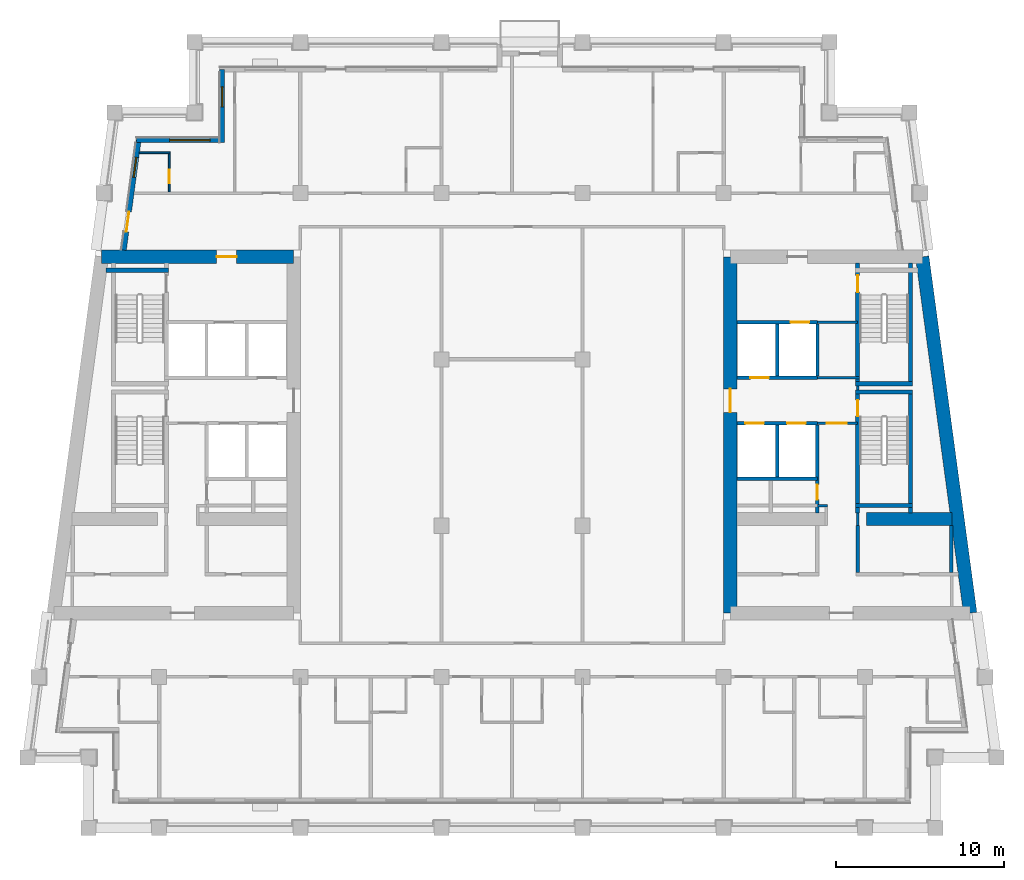
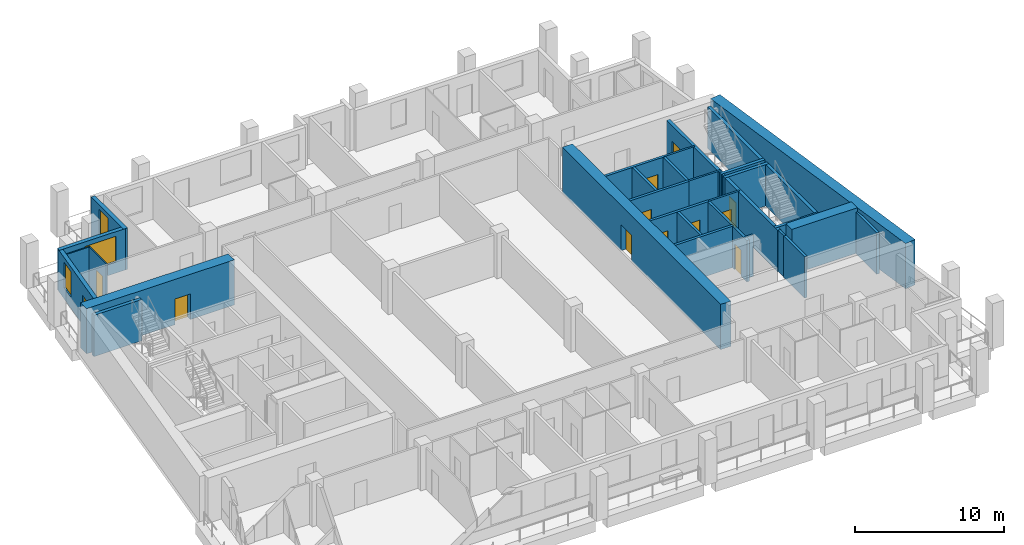
# One storey, part 5 of 12: 33 walls, 12 doors, 3 windows, 15 openings.
"""IFC4 building model written with IfcOpenShell, lengths in metres."""

from ifc_helpers import new_model, si_unit, direction, frame, frame_2d, origin, place, context, subcontext, project, spatial, rectangle, extrude, material, layer, layer_set, type_object, element, fill, save


model = new_model("IFC4")

# Units and contexts
model_context = context("Model", 3, precision=1e-05, world=origin(), true_north=direction((0.0, 1.0)))
body_context = subcontext(model_context, "Body", "Model", "MODEL_VIEW")
ifc_project = project(units=[si_unit("LENGTHUNIT", "METRE"), si_unit("AREAUNIT", "SQUARE_METRE"), si_unit("VOLUMEUNIT", "CUBIC_METRE"), si_unit("PLANEANGLEUNIT", "RADIAN"), si_unit("MASSUNIT", "GRAM", prefix="KILO")], contexts=[model_context])

# Site, building, storey
site_placement = place(None, origin())
site = spatial("IfcSite", under=ifc_project, at=site_placement, CompositionType="ELEMENT")
building_placement = place(site_placement, origin())
building = spatial("IfcBuilding", under=site, at=building_placement, Name="Candeia Pilgrim Tower and Theatre", CompositionType="ELEMENT")
storey_placement = place(building_placement, frame((0.0, 0.0, 235.5)))
storey = spatial("IfcBuildingStorey", under=building, at=storey_placement, Name="L57", CompositionType="ELEMENT", Elevation=235.5)

# Wall, opening, door
ifc_material_1 = material(Name="Concrete C50/60", Category="concrete")
ifc_layer_1 = layer(ifc_material_1, 0.800048828125)
ifc_layer_set_1 = layer_set([ifc_layer_1], Name="Core wall 800 C50/60")
wall_type_1 = type_object("IfcWallType", Name="Core wall 800 C50/60", PredefinedType="SHEAR", material=ifc_layer_set_1)
wall_1_placement = place(storey_placement, frame((88.98046875, 132.0, 0.0), z_axis=(0.0, 0.0, 1.0), x_axis=(1.0, 0.0, 0.0)))
wall_1 = element("IfcWall", 1, at=wall_1_placement, inside=storey, type_object=wall_type_1, Name="Core wall W1", PredefinedType="SHEAR", context=body_context, shape_type="SweptSolid", body=[
    extrude(rectangle(XDim=11.41943359375, YDim=0.800048828125, at=frame_2d((5.709716796875, 0.0))), origin(), (0.0, 0.0, 1.0), 3.699951171875),
])
opening_1_placement = place(wall_1_placement, frame((6.8330078125, 0.0, 0.0)))
opening_1 = element("IfcOpeningElement", 2, at=opening_1_placement, cuts=wall_1, Name="Opening L57-D048", PredefinedType="OPENING", context=body_context, shape_type="SweptSolid", body=[
    extrude(rectangle(XDim=1.199951171875, YDim=2.10009765625, at=frame_2d((0.60009765625, 1.050048828125))), frame((0.0, 0.41015625, 0.0), z_axis=(0.0, -1.0, 0.0), x_axis=(1.0, 0.0, 0.0)), (0.0, 0.0, 1.0), 0.820068359375),
])
ifc_material_2 = material(Name="Steel fire door set", Category="steel")
door_type_1 = type_object("IfcDoorType", Name="D-1200-FD60", OperationType="NOTDEFINED", PredefinedType="DOOR", material=ifc_material_2)
door_1_placement = place(opening_1_placement, origin())
door_1 = element("IfcDoor", 3, at=door_1_placement, inside=storey, type_object=door_type_1, Name="Door L57-D048", OperationType="SINGLE_SWING_LEFT", OverallHeight=2.10009765625, OverallWidth=1.199951171875, PredefinedType="DOOR", context=body_context, shape_type="SweptSolid", body=[
    extrude(rectangle(XDim=1.199951171875, YDim=2.10009765625, at=frame_2d((0.60009765625, 1.050048828125))), frame((0.0, 0.02490234375, 0.0), z_axis=(0.0, -1.0, 0.0), x_axis=(1.0, 0.0, 0.0)), (0.0, 0.0, 1.0), 0.050048828125),
])
fill(opening_1, door_1)

# Wall
wall_2_placement = place(storey_placement, frame((137.819580078125, 132.0, 0.0), z_axis=(0.0, 0.0, 1.0), x_axis=(0.133408347329, -0.991061154956, 0.0)))
element("IfcWall", 4, at=wall_2_placement, inside=storey, type_object=wall_type_1, Name="Core wall E2", PredefinedType="SHEAR", context=body_context, shape_type="SweptSolid", body=[
    extrude(rectangle(XDim=21.39111328125, YDim=0.800048828125, at=frame_2d((10.695556640625, 0.0))), origin(), (0.0, 0.0, 1.0), 3.699951171875),
])

# Wall, opening, door
wall_3_placement = place(storey_placement, frame((126.39990234375, 110.800048828125, 0.0), z_axis=(0.0, 0.0, 1.0), x_axis=(0.0, 1.0, 0.0)))
wall_3 = element("IfcWall", 5, at=wall_3_placement, inside=storey, type_object=wall_type_1, Name="Core wall E4", PredefinedType="SHEAR", context=body_context, shape_type="SweptSolid", body=[
    extrude(rectangle(XDim=21.199951171875, YDim=0.800048828125, at=frame_2d((10.60009765625, 0.0))), origin(), (0.0, 0.0, 1.0), 3.699951171875),
])
opening_2_placement = place(wall_3_placement, frame((11.949951171875, 0.0, 0.0)))
opening_2 = element("IfcOpeningElement", 6, at=opening_2_placement, cuts=wall_3, Name="Opening L57-D052", PredefinedType="OPENING", context=body_context, shape_type="SweptSolid", body=[
    extrude(rectangle(XDim=1.39990234375, YDim=2.10009765625, at=frame_2d((0.699951171875, 1.050048828125))), frame((0.0, 0.41015625, 0.0), z_axis=(0.0, -1.0, 0.0), x_axis=(1.0, 0.0, 0.0)), (0.0, 0.0, 1.0), 0.820068359375),
])
door_type_2 = type_object("IfcDoorType", Name="D-1400-FD60", OperationType="NOTDEFINED", PredefinedType="DOOR", material=ifc_material_2)
door_2_placement = place(opening_2_placement, origin())
door_2 = element("IfcDoor", 7, at=door_2_placement, inside=storey, type_object=door_type_2, Name="Door L57-D052", OperationType="SINGLE_SWING_LEFT", OverallHeight=2.10009765625, OverallWidth=1.39990234375, PredefinedType="DOOR", context=body_context, shape_type="SweptSolid", body=[
    extrude(rectangle(XDim=1.39990234375, YDim=2.10009765625, at=frame_2d((0.699951171875, 1.050048828125))), frame((0.0, 0.02490234375, 0.0), z_axis=(0.0, -1.0, 0.0), x_axis=(1.0, 0.0, 0.0)), (0.0, 0.0, 1.0), 0.050048828125),
])
fill(opening_2, door_2)

# Wall
wall_4_placement = place(storey_placement, frame((134.5, 116.39990234375, 0.0), z_axis=(0.0, 0.0, 1.0), x_axis=(1.0, 0.0, 0.0)))
element("IfcWall", 8, at=wall_4_placement, inside=storey, type_object=wall_type_1, Name="Core wall E6", PredefinedType="SHEAR", context=body_context, shape_type="SweptSolid", body=[
    extrude(rectangle(XDim=5.076904296875, YDim=0.800048828125, at=frame_2d((2.53857421875, 0.0))), origin(), (0.0, 0.0, 1.0), 3.699951171875),
])

# Wall, opening, window
ifc_material_3 = material(Name="Ceramic block masonry", Category="masonry")
ifc_layer_2 = layer(ifc_material_3, 0.300048828125)
ifc_layer_set_2 = layer_set([ifc_layer_2], Name="EW1 glazing-line wall 300")
wall_type_2 = type_object("IfcWallType", Name="EW1 glazing-line wall 300", PredefinedType="SOLIDWALL", material=ifc_layer_set_2)
wall_5_placement = place(storey_placement, frame((96.14990234375, 143.14990234375, 0.0), z_axis=(0.0, 0.0, 1.0), x_axis=(0.0, -1.0, 0.0)))
wall_5 = element("IfcWall", 9, at=wall_5_placement, inside=storey, type_object=wall_type_2, Name="External wall L57-7.0", PredefinedType="SOLIDWALL", context=body_context, shape_type="SweptSolid", body=[
    extrude(rectangle(XDim=4.349853515625, YDim=0.300048828125, at=frame_2d((2.1748046875, 0.0))), origin(), (0.0, 0.0, 1.0), 3.3798828125),
])
opening_3_placement = place(wall_5_placement, frame((1.02490234375, 0.0, 0.89990234375)))
opening_3 = element("IfcOpeningElement", 10, at=opening_3_placement, cuts=wall_5, Name="Opening W-B", PredefinedType="OPENING", context=body_context, shape_type="SweptSolid", body=[
    extrude(rectangle(XDim=1.199951171875, YDim=2.10009765625, at=frame_2d((0.60009765625, 1.050048828125))), frame((0.0, 0.16015625, 0.0), z_axis=(0.0, -1.0, 0.0), x_axis=(1.0, 0.0, 0.0)), (0.0, 0.0, 1.0), 0.320068359375),
])
ifc_material_4 = material(Name="Aluminium framed double glazing", Category="aluminium")
window_type_1 = type_object("IfcWindowType", Name="W-B window 1200x2100", PartitioningType="SINGLE_PANEL", PredefinedType="WINDOW", material=ifc_material_4)
window_1_placement = place(opening_3_placement, origin())
window_1 = element("IfcWindow", 11, at=window_1_placement, inside=storey, type_object=window_type_1, Name="Window W-B L57", OverallHeight=2.10009765625, OverallWidth=1.199951171875, PartitioningType="SINGLE_PANEL", PredefinedType="WINDOW", context=body_context, shape_type="SweptSolid", body=[
    extrude(rectangle(XDim=1.199951171875, YDim=2.10009765625, at=frame_2d((0.60009765625, 1.050048828125))), frame((0.0, 0.030029296875, 0.0), z_axis=(0.0, -1.0, 0.0), x_axis=(1.0, 0.0, 0.0)), (0.0, 0.0, 1.0), 0.06005859375),
])
fill(opening_3, window_1)

wall_6_placement = place(storey_placement, frame((96.14990234375, 138.949951171875, 0.0), z_axis=(0.0, 0.0, 1.0), x_axis=(-1.0, 0.0, 0.0)))
wall_6 = element("IfcWall", 12, at=wall_6_placement, inside=storey, type_object=wall_type_2, Name="External wall L57-8.0", PredefinedType="SOLIDWALL", context=body_context, shape_type="SweptSolid", body=[
    extrude(rectangle(XDim=5.103759765625, YDim=0.300048828125, at=frame_2d((2.5517578125, 0.0))), origin(), (0.0, 0.0, 1.0), 3.3798828125),
])
opening_4_placement = place(wall_6_placement, frame((0.72509765625, 0.0, 0.89990234375)))
opening_4 = element("IfcOpeningElement", 13, at=opening_4_placement, cuts=wall_6, Name="Opening W-A", PredefinedType="OPENING", context=body_context, shape_type="SweptSolid", body=[
    extrude(rectangle(XDim=2.39990234375, YDim=2.10009765625, at=frame_2d((1.199951171875, 1.050048828125))), frame((0.0, 0.16015625, 0.0), z_axis=(0.0, -1.0, 0.0), x_axis=(1.0, 0.0, 0.0)), (0.0, 0.0, 1.0), 0.320068359375),
])
window_type_2 = type_object("IfcWindowType", Name="W-A window 2400x2100", PartitioningType="DOUBLE_PANEL_VERTICAL", PredefinedType="WINDOW", material=ifc_material_4)
window_2_placement = place(opening_4_placement, origin())
window_2 = element("IfcWindow", 14, at=window_2_placement, inside=storey, type_object=window_type_2, Name="Window W-A L57", OverallHeight=2.10009765625, OverallWidth=2.39990234375, PartitioningType="SINGLE_PANEL", PredefinedType="WINDOW", context=body_context, shape_type="SweptSolid", body=[
    extrude(rectangle(XDim=2.39990234375, YDim=2.10009765625, at=frame_2d((1.199951171875, 1.050048828125))), frame((0.0, 0.030029296875, 0.0), z_axis=(0.0, -1.0, 0.0), x_axis=(1.0, 0.0, 0.0)), (0.0, 0.0, 1.0), 0.06005859375),
])
fill(opening_4, window_2)

# Wall, openings, door, window
wall_7_placement = place(storey_placement, frame((91.177490234375, 138.949951171875, 0.0), z_axis=(0.0, 0.0, 1.0), x_axis=(-0.133426664613, -0.991058689065, 0.0)))
wall_7 = element("IfcWall", 15, at=wall_7_placement, inside=storey, type_object=wall_type_2, Name="External wall L57-9.0", PredefinedType="SOLIDWALL", context=body_context, shape_type="SweptSolid", body=[
    extrude(rectangle(XDim=6.609130859375, YDim=0.300048828125, at=frame_2d((3.3046875, 0.0))), origin(), (0.0, 0.0, 1.0), 3.3798828125),
])
opening_5_placement = place(wall_7_placement, frame((1.039306640625, 0.0, 0.89990234375)))
opening_5 = element("IfcOpeningElement", 16, at=opening_5_placement, cuts=wall_7, Name="Opening W-B", PredefinedType="OPENING", context=body_context, shape_type="SweptSolid", body=[
    extrude(rectangle(XDim=1.199951171875, YDim=2.10009765625, at=frame_2d((0.60009765625, 1.050048828125))), frame((0.0, 0.16015625, 0.0), z_axis=(0.0, -1.0, 0.0), x_axis=(1.0, 0.0, 0.0)), (0.0, 0.0, 1.0), 0.320068359375),
])
opening_6_placement = place(wall_7_placement, frame((4.293701171875, 0.0, 0.0)))
opening_6 = element("IfcOpeningElement", 17, at=opening_6_placement, cuts=wall_7, Name="Opening L57-ED554", PredefinedType="OPENING", context=body_context, shape_type="SweptSolid", body=[
    extrude(rectangle(XDim=1.199951171875, YDim=2.39990234375, at=frame_2d((0.60009765625, 1.199951171875))), frame((0.0, 0.16015625, 0.0), z_axis=(0.0, -1.0, 0.0), x_axis=(1.0, 0.0, 0.0)), (0.0, 0.0, 1.0), 0.320068359375),
])
ifc_material_5 = material(Name="Aluminium framed glazed door", Category="aluminium")
door_type_3 = type_object("IfcDoorType", Name="Loggia door 1200x2400", OperationType="DOUBLE_DOOR_SINGLE_SWING", PredefinedType="DOOR", material=ifc_material_5)
door_3_placement = place(opening_6_placement, origin())
door_3 = element("IfcDoor", 18, at=door_3_placement, inside=storey, type_object=door_type_3, Name="Loggia door L57-ED554", OperationType="DOUBLE_DOOR_SINGLE_SWING", OverallHeight=2.39990234375, OverallWidth=1.199951171875, PredefinedType="DOOR", context=body_context, shape_type="SweptSolid", body=[
    extrude(rectangle(XDim=1.199951171875, YDim=2.39990234375, at=frame_2d((0.60009765625, 1.199951171875))), frame((0.0, 0.02490234375, 0.0), z_axis=(0.0, -1.0, 0.0), x_axis=(1.0, 0.0, 0.0)), (0.0, 0.0, 1.0), 0.050048828125),
])
fill(opening_6, door_3)
window_3_placement = place(opening_5_placement, origin())
window_3 = element("IfcWindow", 19, at=window_3_placement, inside=storey, type_object=window_type_1, Name="Window W-B L57", OverallHeight=2.10009765625, OverallWidth=1.199951171875, PartitioningType="SINGLE_PANEL", PredefinedType="WINDOW", context=body_context, shape_type="SweptSolid", body=[
    extrude(rectangle(XDim=1.199951171875, YDim=2.10009765625, at=frame_2d((0.60009765625, 1.050048828125))), frame((0.0, 0.030029296875, 0.0), z_axis=(0.0, -1.0, 0.0), x_axis=(1.0, 0.0, 0.0)), (0.0, 0.0, 1.0), 0.06005859375),
])
fill(opening_5, window_3)

# Wall
ifc_material_6 = material(Name="Gypsum board partition on steel studs", Category="steel")
ifc_layer_3 = layer(ifc_material_6, 0.10009765625)
ifc_layer_set_3 = layer_set([ifc_layer_3], Name="PW-100 room partition")
wall_type_3 = type_object("IfcWallType", Name="PW-100 room partition", PredefinedType="PARTITIONING", material=ifc_layer_set_3)
wall_8_placement = place(storey_placement, frame((91.2177734375, 138.199951171875, 0.0), z_axis=(0.0, 0.0, 1.0), x_axis=(1.0, 0.0, 0.0)))
element("IfcWall", 20, at=wall_8_placement, inside=storey, type_object=wall_type_3, Name="Room partition L57-041", PredefinedType="PARTITIONING", context=body_context, shape_type="SweptSolid", body=[
    extrude(rectangle(XDim=1.832275390625, YDim=0.10009765625, at=frame_2d((0.916015625, 0.0))), origin(), (0.0, 0.0, 1.0), 3.3798828125),
])

# Wall, opening, door
wall_9_placement = place(storey_placement, frame((93.0, 135.875, 0.0), z_axis=(0.0, 0.0, 1.0), x_axis=(0.0, 1.0, 0.0)))
wall_9 = element("IfcWall", 21, at=wall_9_placement, inside=storey, type_object=wall_type_3, Name="Room partition L57-056", PredefinedType="PARTITIONING", context=body_context, shape_type="SweptSolid", body=[
    extrude(rectangle(XDim=2.27490234375, YDim=0.10009765625, at=frame_2d((1.137451171875, 0.0))), origin(), (0.0, 0.0, 1.0), 3.3798828125),
])
opening_7_placement = place(wall_9_placement, frame((0.5, 0.0, 0.0)))
opening_7 = element("IfcOpeningElement", 22, at=opening_7_placement, cuts=wall_9, Name="Opening L57-D033", PredefinedType="OPENING", context=body_context, shape_type="SweptSolid", body=[
    extrude(rectangle(XDim=0.800048828125, YDim=2.10009765625, at=frame_2d((0.39990234375, 1.050048828125))), frame((0.0, 0.06005859375, 0.0), z_axis=(0.0, -1.0, 0.0), x_axis=(1.0, 0.0, 0.0)), (0.0, 0.0, 1.0), 0.1201171875),
])
ifc_material_7 = material(Name="Timber door leaf", Category="wood")
door_type_4 = type_object("IfcDoorType", Name="D-800", OperationType="NOTDEFINED", PredefinedType="DOOR", material=ifc_material_7)
door_4_placement = place(opening_7_placement, origin())
door_4 = element("IfcDoor", 23, at=door_4_placement, inside=storey, type_object=door_type_4, Name="Door L57-D033", OperationType="SINGLE_SWING_RIGHT", OverallHeight=2.10009765625, OverallWidth=0.800048828125, PredefinedType="DOOR", context=body_context, shape_type="SweptSolid", body=[
    extrude(rectangle(XDim=0.800048828125, YDim=2.10009765625, at=frame_2d((0.39990234375, 1.050048828125))), frame((0.0, 0.02490234375, 0.0), z_axis=(0.0, -1.0, 0.0), x_axis=(1.0, 0.0, 0.0)), (0.0, 0.0, 1.0), 0.050048828125),
])
fill(opening_7, door_4)

# Wall
ifc_layer_4 = layer(ifc_material_6, 0.14990234375)
ifc_layer_set_4 = layer_set([ifc_layer_4], Name="PW-150 lobby wall")
wall_type_4 = type_object("IfcWallType", Name="PW-150 lobby wall", PredefinedType="PARTITIONING", material=ifc_layer_set_4)
wall_10_placement = place(storey_placement, frame((131.572998046875, 117.199951171875, 0.0), z_axis=(0.0, 0.0, 1.0), x_axis=(1.0, 0.0, 0.0)))
element("IfcWall", 24, at=wall_10_placement, inside=storey, type_object=wall_type_4, Name="Lobby wall L57-017", PredefinedType="PARTITIONING", context=body_context, shape_type="SweptSolid", body=[
    extrude(rectangle(XDim=0.60205078125, YDim=0.14990234375, at=frame_2d((0.301025390625, 0.0))), origin(), (0.0, 0.0, 1.0), 3.3798828125),
])

# Wall, opening, door
wall_11_placement = place(storey_placement, frame((131.572998046875, 122.10009765625, 0.0), z_axis=(0.0, 0.0, 1.0), x_axis=(1.0, 0.0, 0.0)))
wall_11 = element("IfcWall", 25, at=wall_11_placement, inside=storey, type_object=wall_type_4, Name="Lobby wall L57-025", PredefinedType="PARTITIONING", context=body_context, shape_type="SweptSolid", body=[
    extrude(rectangle(XDim=2.39990234375, YDim=0.14990234375, at=frame_2d((1.199951171875, 0.0))), origin(), (0.0, 0.0, 1.0), 3.3798828125),
])
opening_8_placement = place(wall_11_placement, frame((0.550048828125, 0.0, 0.0)))
opening_8 = element("IfcOpeningElement", 26, at=opening_8_placement, cuts=wall_11, Name="Opening L57-D007", PredefinedType="OPENING", context=body_context, shape_type="SweptSolid", body=[
    extrude(rectangle(XDim=1.199951171875, YDim=2.10009765625, at=frame_2d((0.60009765625, 1.050048828125))), frame((0.0, 0.0849609375, 0.0), z_axis=(0.0, -1.0, 0.0), x_axis=(1.0, 0.0, 0.0)), (0.0, 0.0, 1.0), 0.169921875),
])
door_5_placement = place(opening_8_placement, origin())
door_5 = element("IfcDoor", 27, at=door_5_placement, inside=storey, type_object=door_type_1, Name="Door L57-D007", OperationType="SINGLE_SWING_RIGHT", OverallHeight=2.10009765625, OverallWidth=1.199951171875, PredefinedType="DOOR", context=body_context, shape_type="SweptSolid", body=[
    extrude(rectangle(XDim=1.199951171875, YDim=2.10009765625, at=frame_2d((0.60009765625, 1.050048828125))), frame((0.0, 0.02490234375, 0.0), z_axis=(0.0, -1.0, 0.0), x_axis=(1.0, 0.0, 0.0)), (0.0, 0.0, 1.0), 0.050048828125),
])
fill(opening_8, door_5)

# Walls
wall_12_placement = place(storey_placement, frame((131.58203125, 124.800048828125, 0.0), z_axis=(0.0, 0.0, 1.0), x_axis=(1.0, 0.0, 0.0)))
element("IfcWall", 28, at=wall_12_placement, inside=storey, type_object=wall_type_4, Name="Lobby wall L57-032", PredefinedType="PARTITIONING", context=body_context, shape_type="SweptSolid", body=[
    extrude(rectangle(XDim=2.515869140625, YDim=0.14990234375, at=frame_2d((1.2578125, 0.0))), origin(), (0.0, 0.0, 1.0), 3.3798828125),
])
wall_13_placement = place(storey_placement, frame((131.58203125, 128.10009765625, 0.0), z_axis=(0.0, 0.0, 1.0), x_axis=(1.0, 0.0, 0.0)))
element("IfcWall", 29, at=wall_13_placement, inside=storey, type_object=wall_type_4, Name="Lobby wall L57-036", PredefinedType="PARTITIONING", context=body_context, shape_type="SweptSolid", body=[
    extrude(rectangle(XDim=2.390869140625, YDim=0.14990234375, at=frame_2d((1.1953125, 0.0))), origin(), (0.0, 0.0, 1.0), 3.3798828125),
])
wall_14_placement = place(storey_placement, frame((133.972900390625, 116.0, 0.0), z_axis=(0.0, 0.0, 1.0), x_axis=(0.0, 1.0, 0.0)))
element("IfcWall", 30, at=wall_14_placement, inside=storey, type_object=wall_type_4, Name="Lobby wall L57-103", PredefinedType="PARTITIONING", context=body_context, shape_type="SweptSolid", body=[
    extrude(rectangle(XDim=0.77001953125, YDim=0.14990234375, at=frame_2d((0.385009765625, 0.0))), origin(), (0.0, 0.0, 1.0), 3.3798828125),
])
wall_15_placement = place(storey_placement, frame((133.972900390625, 124.074951171875, 0.0), z_axis=(0.0, 0.0, 1.0), x_axis=(0.0, 1.0, 0.0)))
element("IfcWall", 31, at=wall_15_placement, inside=storey, type_object=wall_type_4, Name="Lobby wall L57-104", PredefinedType="PARTITIONING", context=body_context, shape_type="SweptSolid", body=[
    extrude(rectangle(XDim=0.25, YDim=0.14990234375, at=frame_2d((0.125, 0.0))), origin(), (0.0, 0.0, 1.0), 3.3798828125),
])
ifc_material_8 = material(Name="Concrete C40/50", Category="concrete")
ifc_layer_5 = layer(ifc_material_8, 0.199951171875)
ifc_layer_set_5 = layer_set([ifc_layer_5], Name="SW-200 shaft wall")
wall_type_5 = type_object("IfcWallType", Name="SW-200 shaft wall", PredefinedType="PARTITIONING", material=ifc_layer_set_5)
wall_16_placement = place(storey_placement, frame((126.800048828125, 118.800048828125, 0.0), z_axis=(0.0, 0.0, 1.0), x_axis=(1.0, 0.0, 0.0)))
element("IfcWall", 32, at=wall_16_placement, inside=storey, type_object=wall_type_5, Name="Shaft wall L57-021", PredefinedType="PARTITIONING", context=body_context, shape_type="SweptSolid", body=[
    extrude(rectangle(XDim=4.77294921875, YDim=0.199951171875, at=frame_2d((2.386474609375, 0.0))), origin(), (0.0, 0.0, 1.0), 3.3798828125),
])

# Wall, openings, doors
wall_17_placement = place(storey_placement, frame((126.800048828125, 122.10009765625, 0.0), z_axis=(0.0, 0.0, 1.0), x_axis=(1.0, 0.0, 0.0)))
wall_17 = element("IfcWall", 33, at=wall_17_placement, inside=storey, type_object=wall_type_5, Name="Shaft wall L57-023", PredefinedType="PARTITIONING", context=body_context, shape_type="SweptSolid", body=[
    extrude(rectangle(XDim=4.77294921875, YDim=0.199951171875, at=frame_2d((2.386474609375, 0.0))), origin(), (0.0, 0.0, 1.0), 3.3798828125),
])
opening_9_placement = place(wall_17_placement, frame((2.970947265625, 0.0, 0.0)))
opening_9 = element("IfcOpeningElement", 34, at=opening_9_placement, cuts=wall_17, Name="Opening L57-LD05", PredefinedType="OPENING", context=body_context, shape_type="SweptSolid", body=[
    extrude(rectangle(XDim=1.10009765625, YDim=2.10009765625, at=frame_2d((0.550048828125, 1.050048828125))), frame((0.0, 0.10986328125, 0.0), z_axis=(0.0, -1.0, 0.0), x_axis=(1.0, 0.0, 0.0)), (0.0, 0.0, 1.0), 0.219970703125),
])
opening_10_placement = place(wall_17_placement, frame((0.4970703125, 0.0, 0.0)))
opening_10 = element("IfcOpeningElement", 35, at=opening_10_placement, cuts=wall_17, Name="Opening L57-LD06", PredefinedType="OPENING", context=body_context, shape_type="SweptSolid", body=[
    extrude(rectangle(XDim=1.10009765625, YDim=2.10009765625, at=frame_2d((0.550048828125, 1.050048828125))), frame((0.0, 0.10986328125, 0.0), z_axis=(0.0, -1.0, 0.0), x_axis=(1.0, 0.0, 0.0)), (0.0, 0.0, 1.0), 0.219970703125),
])
ifc_material_9 = material(Name="Glazed aluminium landing door", Category="aluminium")
door_type_5 = type_object("IfcDoorType", Name="LD-1100-EI120", OperationType="SLIDING_TO_LEFT", PredefinedType="DOOR", material=ifc_material_9)
door_6_placement = place(opening_9_placement, origin())
door_6 = element("IfcDoor", 36, at=door_6_placement, inside=storey, type_object=door_type_5, Name="Landing door 05 L57", OperationType="SLIDING_TO_LEFT", OverallHeight=2.10009765625, OverallWidth=1.10009765625, PredefinedType="DOOR", context=body_context, shape_type="SweptSolid", body=[
    extrude(rectangle(XDim=1.10009765625, YDim=2.10009765625, at=frame_2d((0.550048828125, 1.050048828125))), frame((0.0, 0.02490234375, 0.0), z_axis=(0.0, -1.0, 0.0), x_axis=(1.0, 0.0, 0.0)), (0.0, 0.0, 1.0), 0.050048828125),
])
fill(opening_9, door_6)
door_7_placement = place(opening_10_placement, origin())
door_7 = element("IfcDoor", 37, at=door_7_placement, inside=storey, type_object=door_type_5, Name="Landing door 06 L57", OperationType="SLIDING_TO_LEFT", OverallHeight=2.10009765625, OverallWidth=1.10009765625, PredefinedType="DOOR", context=body_context, shape_type="SweptSolid", body=[
    extrude(rectangle(XDim=1.10009765625, YDim=2.10009765625, at=frame_2d((0.550048828125, 1.050048828125))), frame((0.0, 0.02490234375, 0.0), z_axis=(0.0, -1.0, 0.0), x_axis=(1.0, 0.0, 0.0)), (0.0, 0.0, 1.0), 0.050048828125),
])
fill(opening_10, door_7)

# Wall, opening, door
wall_18_placement = place(storey_placement, frame((126.800048828125, 124.800048828125, 0.0), z_axis=(0.0, 0.0, 1.0), x_axis=(1.0, 0.0, 0.0)))
wall_18 = element("IfcWall", 38, at=wall_18_placement, inside=storey, type_object=wall_type_5, Name="Shaft wall L57-031", PredefinedType="PARTITIONING", context=body_context, shape_type="SweptSolid", body=[
    extrude(rectangle(XDim=4.781982421875, YDim=0.199951171875, at=frame_2d((2.39111328125, 0.0))), origin(), (0.0, 0.0, 1.0), 3.3798828125),
])
opening_11_placement = place(wall_18_placement, frame((0.79296875, 0.0, 0.0)))
opening_11 = element("IfcOpeningElement", 39, at=opening_11_placement, cuts=wall_18, Name="Opening L57-LD08", PredefinedType="OPENING", context=body_context, shape_type="SweptSolid", body=[
    extrude(rectangle(XDim=1.10009765625, YDim=2.10009765625, at=frame_2d((0.550048828125, 1.050048828125))), frame((0.0, 0.10986328125, 0.0), z_axis=(0.0, -1.0, 0.0), x_axis=(1.0, 0.0, 0.0)), (0.0, 0.0, 1.0), 0.219970703125),
])
door_8_placement = place(opening_11_placement, origin())
door_8 = element("IfcDoor", 40, at=door_8_placement, inside=storey, type_object=door_type_5, Name="Landing door 08 L57", OperationType="SLIDING_TO_LEFT", OverallHeight=2.10009765625, OverallWidth=1.10009765625, PredefinedType="DOOR", context=body_context, shape_type="SweptSolid", body=[
    extrude(rectangle(XDim=1.10009765625, YDim=2.10009765625, at=frame_2d((0.550048828125, 1.050048828125))), frame((0.0, 0.02490234375, 0.0), z_axis=(0.0, -1.0, 0.0), x_axis=(1.0, 0.0, 0.0)), (0.0, 0.0, 1.0), 0.050048828125),
])
fill(opening_11, door_8)

wall_19_placement = place(storey_placement, frame((126.800048828125, 128.10009765625, 0.0), z_axis=(0.0, 0.0, 1.0), x_axis=(1.0, 0.0, 0.0)))
wall_19 = element("IfcWall", 41, at=wall_19_placement, inside=storey, type_object=wall_type_5, Name="Shaft wall L57-035", PredefinedType="PARTITIONING", context=body_context, shape_type="SweptSolid", body=[
    extrude(rectangle(XDim=4.781982421875, YDim=0.199951171875, at=frame_2d((2.39111328125, 0.0))), origin(), (0.0, 0.0, 1.0), 3.3798828125),
])
opening_12_placement = place(wall_19_placement, frame((3.18408203125, 0.0, 0.0)))
opening_12 = element("IfcOpeningElement", 42, at=opening_12_placement, cuts=wall_19, Name="Opening L57-LD07", PredefinedType="OPENING", context=body_context, shape_type="SweptSolid", body=[
    extrude(rectangle(XDim=1.10009765625, YDim=2.10009765625, at=frame_2d((0.550048828125, 1.050048828125))), frame((0.0, 0.10986328125, 0.0), z_axis=(0.0, -1.0, 0.0), x_axis=(1.0, 0.0, 0.0)), (0.0, 0.0, 1.0), 0.219970703125),
])
door_9_placement = place(opening_12_placement, origin())
door_9 = element("IfcDoor", 43, at=door_9_placement, inside=storey, type_object=door_type_5, Name="Landing door 07 L57", OperationType="SLIDING_TO_LEFT", OverallHeight=2.10009765625, OverallWidth=1.10009765625, PredefinedType="DOOR", context=body_context, shape_type="SweptSolid", body=[
    extrude(rectangle(XDim=1.10009765625, YDim=2.10009765625, at=frame_2d((0.550048828125, 1.050048828125))), frame((0.0, 0.02490234375, 0.0), z_axis=(0.0, -1.0, 0.0), x_axis=(1.0, 0.0, 0.0)), (0.0, 0.0, 1.0), 0.050048828125),
])
fill(opening_12, door_9)

# Walls
for number, where, z_axis, x_axis, name in (
    (44, (129.1865234375, 118.89990234375, 0.0), (0.0, 0.0, 1.0), (0.0, 1.0, 0.0), "Shaft wall L57-092"),
    (45, (129.19091796875, 124.89990234375, 0.0), (0.0, 0.0, 1.0), (0.0, 1.0, 0.0), "Shaft wall L57-093"),
):
    element("IfcWall", number, at=place(storey_placement, frame(where, z_axis=z_axis, x_axis=x_axis)), inside=storey, type_object=wall_type_5, Name=name, PredefinedType="PARTITIONING", context=body_context, shape_type="SweptSolid", body=[
        extrude(rectangle(XDim=3.10009765625, YDim=0.199951171875, at=frame_2d((1.550048828125, 0.0))), origin(), (0.0, 0.0, 1.0), 3.3798828125),
    ])

# Wall, opening, door
wall_20_placement = place(storey_placement, frame((131.572998046875, 116.77001953125, 0.0), z_axis=(0.0, 0.0, 1.0), x_axis=(0.0, 1.0, 0.0)))
wall_20 = element("IfcWall", 46, at=wall_20_placement, inside=storey, type_object=wall_type_5, Name="Shaft wall L57-097", PredefinedType="PARTITIONING", context=body_context, shape_type="SweptSolid", body=[
    extrude(rectangle(XDim=5.22998046875, YDim=0.199951171875, at=frame_2d((2.614990234375, 0.0))), origin(), (0.0, 0.0, 1.0), 3.3798828125),
])
opening_13_placement = place(wall_20_placement, frame((0.780029296875, 0.0, 0.0)))
opening_13 = element("IfcOpeningElement", 47, at=opening_13_placement, cuts=wall_20, Name="Opening L57-D010", PredefinedType="OPENING", context=body_context, shape_type="SweptSolid", body=[
    extrude(rectangle(XDim=0.89990234375, YDim=2.10009765625, at=frame_2d((0.449951171875, 1.050048828125))), frame((0.0, 0.10986328125, 0.0), z_axis=(0.0, -1.0, 0.0), x_axis=(1.0, 0.0, 0.0)), (0.0, 0.0, 1.0), 0.219970703125),
])
door_type_6 = type_object("IfcDoorType", Name="D-900-FD60", OperationType="NOTDEFINED", PredefinedType="DOOR", material=ifc_material_2)
door_10_placement = place(opening_13_placement, origin())
door_10 = element("IfcDoor", 48, at=door_10_placement, inside=storey, type_object=door_type_6, Name="Door L57-D010", OperationType="SINGLE_SWING_LEFT", OverallHeight=2.10009765625, OverallWidth=0.89990234375, PredefinedType="DOOR", context=body_context, shape_type="SweptSolid", body=[
    extrude(rectangle(XDim=0.89990234375, YDim=2.10009765625, at=frame_2d((0.449951171875, 1.050048828125))), frame((0.0, 0.02490234375, 0.0), z_axis=(0.0, -1.0, 0.0), x_axis=(1.0, 0.0, 0.0)), (0.0, 0.0, 1.0), 0.050048828125),
])
fill(opening_13, door_10)

# Walls
wall_21_placement = place(storey_placement, frame((131.58203125, 124.89990234375, 0.0), z_axis=(0.0, 0.0, 1.0), x_axis=(0.0, 1.0, 0.0)))
element("IfcWall", 49, at=wall_21_placement, inside=storey, type_object=wall_type_5, Name="Shaft wall L57-098", PredefinedType="PARTITIONING", context=body_context, shape_type="SweptSolid", body=[
    extrude(rectangle(XDim=3.10009765625, YDim=0.199951171875, at=frame_2d((1.550048828125, 0.0))), origin(), (0.0, 0.0, 1.0), 3.3798828125),
])
for number, where, z_axis, x_axis, name in (
    (50, (133.972900390625, 113.199951171875, 0.0), (0.0, 0.0, 1.0), (0.0, 1.0, 0.0), "Shaft wall L57-102"),
    (51, (139.550537109375, 113.199951171875, 0.0), (0.0, 0.0, 1.0), (0.0, 1.0, 0.0), "Shaft wall L57-111"),
):
    element("IfcWall", number, at=place(storey_placement, frame(where, z_axis=z_axis, x_axis=x_axis)), inside=storey, type_object=wall_type_5, Name=name, PredefinedType="PARTITIONING", context=body_context, shape_type="SweptSolid", body=[
        extrude(rectangle(XDim=2.800048828125, YDim=0.199951171875, at=frame_2d((1.39990234375, 0.0))), origin(), (0.0, 0.0, 1.0), 3.3798828125),
    ])
ifc_layer_6 = layer(ifc_material_8, 0.25)
ifc_layer_set_6 = layer_set([ifc_layer_6], Name="SW-250 stair wall")
wall_type_6 = type_object("IfcWallType", Name="SW-250 stair wall", PredefinedType="PARTITIONING", material=ifc_layer_set_6)
for number, where, z_axis, x_axis, name in (
    (52, (133.847900390625, 117.199951171875, 0.0), (0.0, 0.0, 1.0), (1.0, 0.0, 0.0), "Stair wall L57-019"),
    (53, (133.847900390625, 123.949951171875, 0.0), (0.0, 0.0, 1.0), (1.0, 0.0, 0.0), "Stair wall L57-027"),
    (54, (133.847900390625, 124.449951171875, 0.0), (0.0, 0.0, 1.0), (1.0, 0.0, 0.0), "Stair wall L57-029"),
):
    element("IfcWall", number, at=place(storey_placement, frame(where, z_axis=z_axis, x_axis=x_axis)), inside=storey, type_object=wall_type_6, Name=name, PredefinedType="PARTITIONING", context=body_context, shape_type="SweptSolid", body=[
        extrude(rectangle(XDim=3.400146484375, YDim=0.25, at=frame_2d((1.7001953125, 0.0))), origin(), (0.0, 0.0, 1.0), 3.3798828125),
    ])
wall_22_placement = place(storey_placement, frame((89.246337890625, 131.199951171875, 0.0), z_axis=(0.0, 0.0, 1.0), x_axis=(1.0, 0.0, 0.0)))
element("IfcWall", 55, at=wall_22_placement, inside=storey, type_object=wall_type_6, Name="Stair wall L57-037", PredefinedType="PARTITIONING", context=body_context, shape_type="SweptSolid", body=[
    extrude(rectangle(XDim=3.70556640625, YDim=0.25, at=frame_2d((1.852783203125, 0.0))), origin(), (0.0, 0.0, 1.0), 3.3798828125),
])

# Wall, opening, door
wall_23_placement = place(storey_placement, frame((133.972900390625, 116.77001953125, 0.0), z_axis=(0.0, 0.0, 1.0), x_axis=(0.0, 1.0, 0.0)))
wall_23 = element("IfcWall", 56, at=wall_23_placement, inside=storey, type_object=wall_type_6, Name="Stair wall L57-105", PredefinedType="PARTITIONING", context=body_context, shape_type="SweptSolid", body=[
    extrude(rectangle(XDim=7.054931640625, YDim=0.25, at=frame_2d((3.52734375, 0.0))), origin(), (0.0, 0.0, 1.0), 3.3798828125),
])
opening_14_placement = place(wall_23_placement, frame((5.7548828125, 0.0, 0.0)))
opening_14 = element("IfcOpeningElement", 57, at=opening_14_placement, cuts=wall_23, Name="Opening L57-D008", PredefinedType="OPENING", context=body_context, shape_type="SweptSolid", body=[
    extrude(rectangle(XDim=0.949951171875, YDim=2.10009765625, at=frame_2d((0.47509765625, 1.050048828125))), frame((0.0, 0.135009765625, 0.0), z_axis=(0.0, -1.0, 0.0), x_axis=(1.0, 0.0, 0.0)), (0.0, 0.0, 1.0), 0.27001953125),
])
door_type_7 = type_object("IfcDoorType", Name="D-950-FD60", OperationType="NOTDEFINED", PredefinedType="DOOR", material=ifc_material_2)
door_11_placement = place(opening_14_placement, origin())
door_11 = element("IfcDoor", 58, at=door_11_placement, inside=storey, type_object=door_type_7, Name="Door L57-D008", OperationType="SINGLE_SWING_LEFT", OverallHeight=2.10009765625, OverallWidth=0.949951171875, PredefinedType="DOOR", context=body_context, shape_type="SweptSolid", body=[
    extrude(rectangle(XDim=0.949951171875, YDim=2.10009765625, at=frame_2d((0.47509765625, 1.050048828125))), frame((0.0, 0.02490234375, 0.0), z_axis=(0.0, -1.0, 0.0), x_axis=(1.0, 0.0, 0.0)), (0.0, 0.0, 1.0), 0.050048828125),
])
fill(opening_14, door_11)

wall_24_placement = place(storey_placement, frame((133.972900390625, 124.574951171875, 0.0), z_axis=(0.0, 0.0, 1.0), x_axis=(0.0, 1.0, 0.0)))
wall_24 = element("IfcWall", 59, at=wall_24_placement, inside=storey, type_object=wall_type_6, Name="Stair wall L57-106", PredefinedType="PARTITIONING", context=body_context, shape_type="SweptSolid", body=[
    extrude(rectangle(XDim=7.054931640625, YDim=0.25, at=frame_2d((3.52734375, 0.0))), origin(), (0.0, 0.0, 1.0), 3.3798828125),
])
opening_15_placement = place(wall_24_placement, frame((5.324951171875, 0.0, 0.0)))
opening_15 = element("IfcOpeningElement", 60, at=opening_15_placement, cuts=wall_24, Name="Opening L57-D009", PredefinedType="OPENING", context=body_context, shape_type="SweptSolid", body=[
    extrude(rectangle(XDim=1.0, YDim=2.10009765625, at=frame_2d((0.5, 1.050048828125))), frame((0.0, 0.135009765625, 0.0), z_axis=(0.0, -1.0, 0.0), x_axis=(1.0, 0.0, 0.0)), (0.0, 0.0, 1.0), 0.27001953125),
])
door_type_8 = type_object("IfcDoorType", Name="D-1000-FD60", OperationType="NOTDEFINED", PredefinedType="DOOR", material=ifc_material_2)
door_12_placement = place(opening_15_placement, origin())
door_12 = element("IfcDoor", 61, at=door_12_placement, inside=storey, type_object=door_type_8, Name="Door L57-D009", OperationType="SINGLE_SWING_RIGHT", OverallHeight=2.10009765625, OverallWidth=1.0, PredefinedType="DOOR", context=body_context, shape_type="SweptSolid", body=[
    extrude(rectangle(XDim=1.0, YDim=2.10009765625, at=frame_2d((0.5, 1.050048828125))), frame((0.0, 0.02490234375, 0.0), z_axis=(0.0, -1.0, 0.0), x_axis=(1.0, 0.0, 0.0)), (0.0, 0.0, 1.0), 0.050048828125),
])
fill(opening_15, door_12)

# Walls
for number, where, z_axis, x_axis, name in (
    (62, (137.123046875, 116.77001953125, 0.0), (0.0, 0.0, 1.0), (0.0, 1.0, 0.0), "Stair wall L57-108"),
    (63, (137.123046875, 124.574951171875, 0.0), (0.0, 0.0, 1.0), (0.0, 1.0, 0.0), "Stair wall L57-109"),
):
    element("IfcWall", number, at=place(storey_placement, frame(where, z_axis=z_axis, x_axis=x_axis)), inside=storey, type_object=wall_type_6, Name=name, PredefinedType="PARTITIONING", context=body_context, shape_type="SweptSolid", body=[
        extrude(rectangle(XDim=7.054931640625, YDim=0.25, at=frame_2d((3.52734375, 0.0))), origin(), (0.0, 0.0, 1.0), 3.3798828125),
    ])

save(model, "model.ifc")
